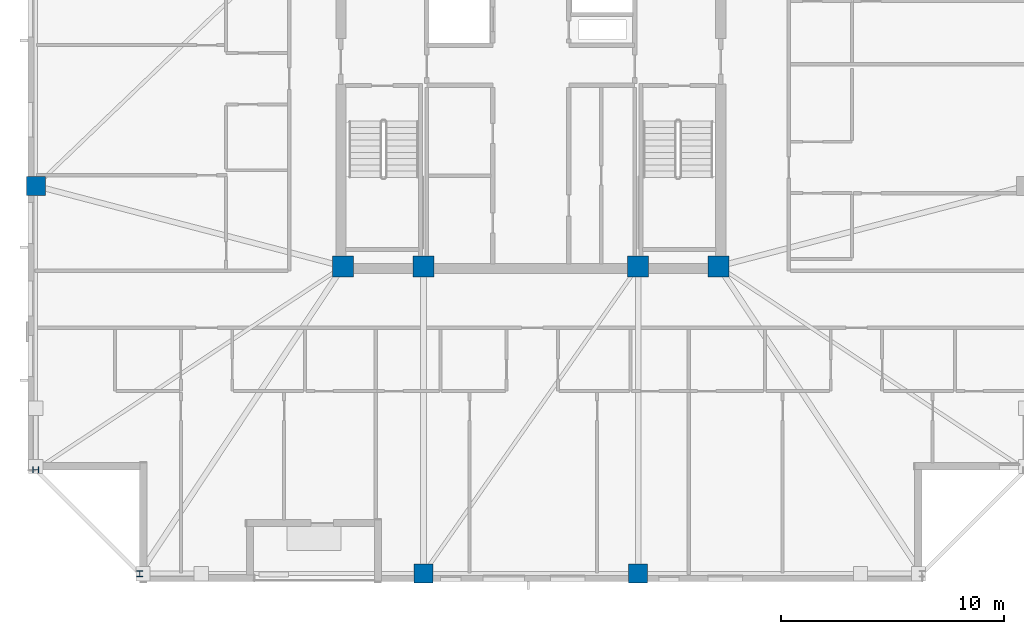
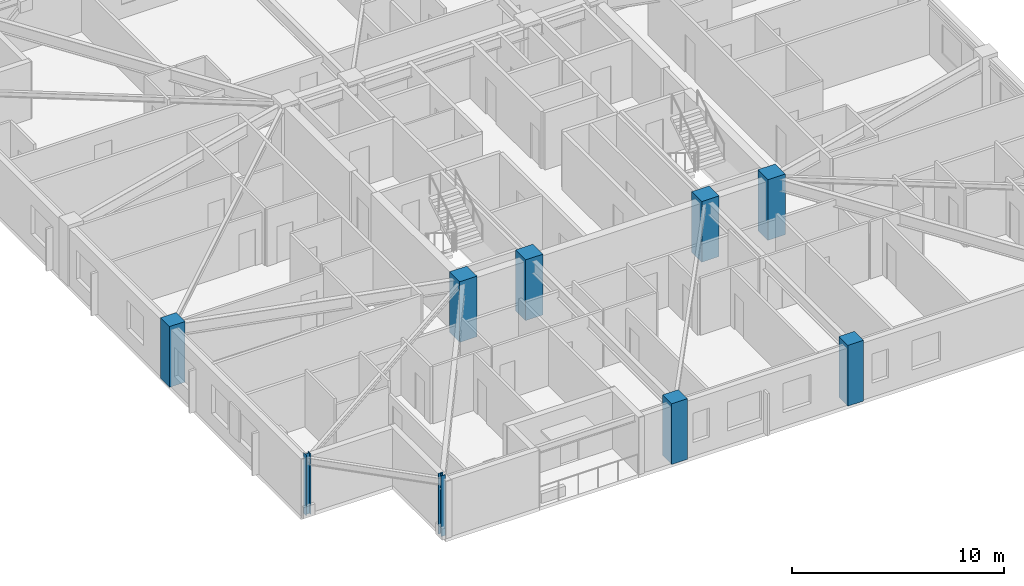
# One storey, part 1 of 17: 9 columns.
"""IFC4 building model written with IfcOpenShell, lengths in metres."""

from ifc_helpers import new_model, si_unit, direction, frame, origin, origin_2d, place, context, subcontext, project, spatial, rectangle, i_section, extrude, material, material_profile, profile_set, type_object, element, save


model = new_model("IFC4")

# Units and contexts
model_context = context("Model", 3, precision=1e-05, world=origin(), true_north=direction((0.0, 1.0)))
body_context = subcontext(model_context, "Body", "Model", "MODEL_VIEW")
ifc_project = project(units=[si_unit("LENGTHUNIT", "METRE"), si_unit("AREAUNIT", "SQUARE_METRE"), si_unit("VOLUMEUNIT", "CUBIC_METRE"), si_unit("PLANEANGLEUNIT", "RADIAN"), si_unit("MASSUNIT", "GRAM", prefix="KILO")], contexts=[model_context])

# Site, building, storey
site_placement = place(None, origin())
site = spatial("IfcSite", under=ifc_project, at=site_placement, CompositionType="ELEMENT")
building_placement = place(site_placement, origin())
building = spatial("IfcBuilding", under=site, at=building_placement, Name="Cairnveth Concourse Tower", CompositionType="ELEMENT")
storey_placement = place(building_placement, frame((0.0, 0.0, 258.5)))
storey = spatial("IfcBuildingStorey", under=building, at=storey_placement, Name="L71", CompositionType="ELEMENT", Elevation=258.5)

# Columns
ifc_material_1 = material(Name="Concrete N65 (65 MPa)", Category="concrete")
ifc_material_profile_1 = material_profile(ifc_material_1, rectangle(XDim=0.949951171875, YDim=0.949951171875, at=origin_2d()), Name="RC-COL-950x950")
ifc_profile_set_1 = profile_set([ifc_material_profile_1], Name="Concrete N65 (65 MPa)")
column_type_1 = type_object("IfcColumnType", Name="CORE COLUMN 950X950", PredefinedType="COLUMN", material=ifc_profile_set_1)
for number, where, z_axis, x_axis, name in (
    (1, (43.60009765625, 30.60009765625, 0.0), (0.0, 0.0, 1.0), (1.0, 0.0, 0.0), "Column CC1 L71"),
    (2, (47.199951171875, 30.60009765625, 0.0), (0.0, 0.0, 1.0), (1.0, 0.0, 0.0), "Column CC2 L71"),
    (3, (56.800048828125, 30.60009765625, 0.0), (0.0, 0.0, 1.0), (1.0, 0.0, 0.0), "Column CC3 L71"),
    (4, (60.39990234375, 30.60009765625, 0.0), (0.0, 0.0, 1.0), (1.0, 0.0, 0.0), "Column CC4 L71"),
):
    element("IfcColumn", number, at=place(storey_placement, frame(where, z_axis=z_axis, x_axis=x_axis)), inside=storey, type_object=column_type_1, Name=name, PredefinedType="COLUMN", context=body_context, shape_type="SweptSolid", body=[
        extrude(rectangle(XDim=0.949951171875, YDim=0.949951171875, at=origin_2d()), origin(), (0.0, 0.0, 1.0), 3.5),
    ])
ifc_material_profile_2 = material_profile(ifc_material_1, rectangle(XDim=0.85009765625, YDim=0.85009765625, at=origin_2d()), Name="RC-COL-850x850")
ifc_profile_set_2 = profile_set([ifc_material_profile_2], Name="Concrete N65 (65 MPa)")
column_type_2 = type_object("IfcColumnType", Name="PERIMETER PIER COLUMN 850X850", PredefinedType="COLUMN", material=ifc_profile_set_2)
for number, where, z_axis, x_axis, name in (
    (5, (47.199951171875, 16.85009765625, 0.0), (0.0, 0.0, 1.0), (1.0, 0.0, 0.0), "Column P-S2 L71"),
    (6, (56.800048828125, 16.85009765625, 0.0), (0.0, 0.0, 1.0), (1.0, 0.0, 0.0), "Column P-S3 L71"),
    (7, (29.85009765625, 34.199951171875, 0.0), (0.0, 0.0, 1.0), (0.0, 1.0, 0.0), "Column P-W3 L71"),
):
    element("IfcColumn", number, at=place(storey_placement, frame(where, z_axis=z_axis, x_axis=x_axis)), inside=storey, type_object=column_type_2, Name=name, PredefinedType="COLUMN", context=body_context, shape_type="SweptSolid", body=[
        extrude(rectangle(XDim=0.85009765625, YDim=0.85009765625, at=origin_2d()), origin(), (0.0, 0.0, 1.0), 3.5),
    ])
ifc_material_2 = material(Name="Steel Grade 350", Category="steel")
ifc_material_profile_3 = material_profile(ifc_material_2, i_section(OverallWidth=0.256103515625, OverallDepth=0.260009765625, WebThickness=0.010498046875, FlangeThickness=0.017333984375, FilletRadius=0.012939453125, at=origin_2d()), Name="250UC89.5")
ifc_profile_set_3 = profile_set([ifc_material_profile_3], Name="Steel Grade 350")
column_type_3 = type_object("IfcColumnType", Name="UNIVERSAL STEEL COLUMN 250UC89.5", PredefinedType="COLUMN", material=ifc_profile_set_3)
for number, where, z_axis, x_axis, name in (
    (8, (34.5, 16.85009765625, 0.0), (0.0, 0.0, 1.0), (1.0, 0.0, 0.0), "Column P-S1 L71"),
    (9, (29.85009765625, 21.5, 0.0), (0.0, 0.0, 1.0), (0.0, 1.0, 0.0), "Column P-W4 L71"),
):
    element("IfcColumn", number, at=place(storey_placement, frame(where, z_axis=z_axis, x_axis=x_axis)), inside=storey, type_object=column_type_3, Name=name, PredefinedType="COLUMN", context=body_context, shape_type="SweptSolid", body=[
        extrude(i_section(OverallWidth=0.256103515625, OverallDepth=0.260009765625, WebThickness=0.010498046875, FlangeThickness=0.017333984375, FilletRadius=0.012939453125, at=origin_2d()), origin(), (0.0, 0.0, 1.0), 3.5),
    ])

save(model, "model.ifc")
